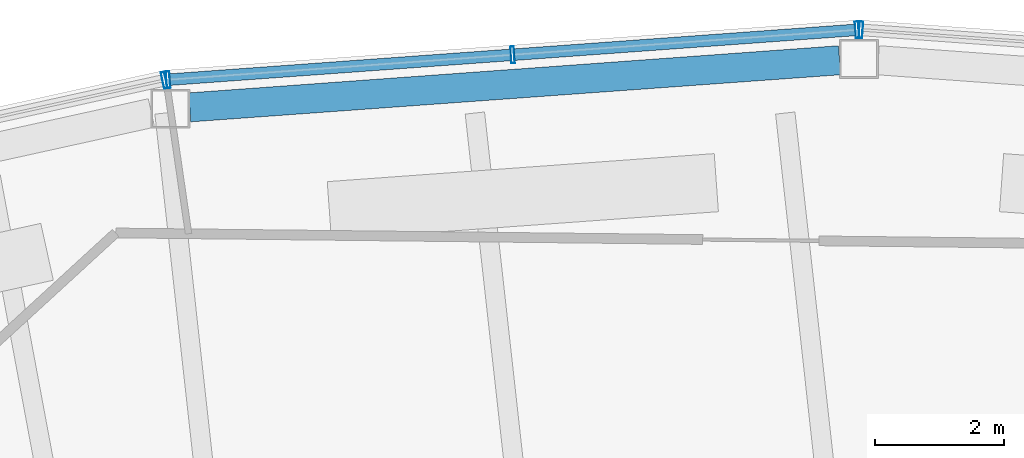
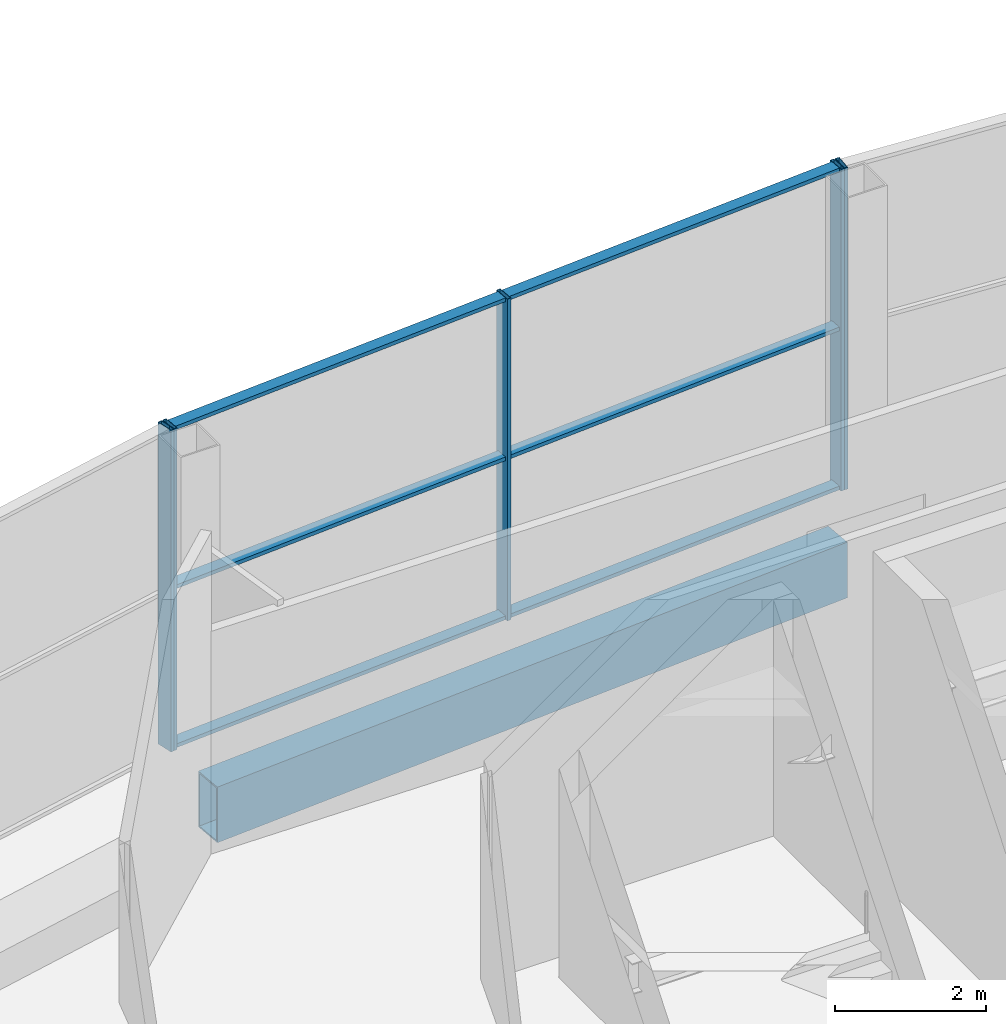
# One storey, part 18 of 44: 11 members, 1 beam, 3 elements without a shape of their own.
"""IFC4 building model written with IfcOpenShell, lengths in metres."""

from ifc_helpers import new_model, si_unit, direction, frame, origin, origin_2d, place, context, subcontext, project, spatial, hollow_rectangle, extrude, material, layer, layer_set, material_profile, profile_set, type_object, element, aggregate, save


model = new_model("IFC4")

# Units and contexts
model_context = context("Model", 3, precision=1e-05, world=origin(), true_north=direction((0.0, 1.0)))
body_context = subcontext(model_context, "Body", "Model", "MODEL_VIEW")
ifc_project = project(units=[si_unit("LENGTHUNIT", "METRE"), si_unit("AREAUNIT", "SQUARE_METRE"), si_unit("VOLUMEUNIT", "CUBIC_METRE"), si_unit("PLANEANGLEUNIT", "RADIAN"), si_unit("MASSUNIT", "GRAM", prefix="KILO")], contexts=[model_context])

# Site, building, storey
site_placement = place(None, origin())
site = spatial("IfcSite", under=ifc_project, at=site_placement, CompositionType="ELEMENT")
building_placement = place(site_placement, origin())
building = spatial("IfcBuilding", under=site, at=building_placement, Name="Tuul Gate Civic Tower", CompositionType="ELEMENT")
storey_placement = place(building_placement, frame((0.0, 0.0, 354.60009765625)))
storey = spatial("IfcBuildingStorey", under=building, at=storey_placement, Name="Observation level 2", CompositionType="ELEMENT", Elevation=354.60009765625)

# Curtain wall, member
ifc_material_1 = material(Name="Stainless steel", Category="steel")
ifc_layer = layer(ifc_material_1, 0.199951171875)
ifc_layer_set = layer_set([ifc_layer], Name="Stainless steel")
curtain_wall_type = type_object("IfcCurtainWallType", Name="Curtain wall CW4", PredefinedType="NOTDEFINED", material=ifc_layer_set)
curtain_wall_1_placement = place(storey_placement, origin())
curtain_wall_1 = element("IfcCurtainWall", 1, at=curtain_wall_1_placement, inside=storey, type_object=curtain_wall_type, Name="Curtain wall CW4", PredefinedType="NOTDEFINED")
ifc_material_2 = material(Name="Stainless steel", Category="steel")
ifc_material_profile_1 = material_profile(ifc_material_2, hollow_rectangle(XDim=0.260009765625, YDim=0.06005859375, WallThickness=0.006103515625, at=origin_2d()), Name="CW4 mullion")
ifc_profile_set_1 = profile_set([ifc_material_profile_1], Name="Stainless steel")
member_type_1 = type_object("IfcMemberType", Name="CW4 mullion", PredefinedType="MULLION", material=ifc_profile_set_1)
member_1_placement = place(storey_placement, frame((2.221923828125, 14.27685546875, 0.0), z_axis=(0.0, 0.0, 1.0), x_axis=(-0.07223936563, -0.997387323989, 0.0)))
member_1 = element("IfcMember", 2, at=member_1_placement, type_object=member_type_1, Name="Mullion", PredefinedType="MULLION", context=body_context, shape_type="SweptSolid", body=[
    extrude(hollow_rectangle(XDim=0.260009765625, YDim=0.06005859375, WallThickness=0.006103515625, at=origin_2d()), origin(), (0.0, 0.0, 1.0), 5.199951171875),
])
aggregate(curtain_wall_1, [member_1])

# Curtain wall, members
curtain_wall_2_placement = place(storey_placement, origin())
curtain_wall_2 = element("IfcCurtainWall", 3, at=curtain_wall_2_placement, inside=storey, type_object=curtain_wall_type, Name="Curtain wall CW4", PredefinedType="NOTDEFINED")
member_2_placement = place(storey_placement, frame((2.162109375, 14.27685546875, 0.0), z_axis=(0.0, 0.0, 1.0), x_axis=(0.07223936563, -0.997387323989, 0.0)))
member_2 = element("IfcMember", 4, at=member_2_placement, type_object=member_type_1, Name="Mullion", PredefinedType="MULLION", context=body_context, shape_type="SweptSolid", body=[
    extrude(hollow_rectangle(XDim=0.260009765625, YDim=0.06005859375, WallThickness=0.006103515625, at=origin_2d()), origin(), (0.0, 0.0, 1.0), 5.199951171875),
])
member_3_placement = place(storey_placement, frame((-3.1650390625, 13.89111328125, 0.0), z_axis=(0.0, 0.0, 1.0), x_axis=(0.07223936563, -0.997387323989, 0.0)))
member_3 = element("IfcMember", 5, at=member_3_placement, type_object=member_type_1, Name="Mullion", PredefinedType="MULLION", context=body_context, shape_type="SweptSolid", body=[
    extrude(hollow_rectangle(XDim=0.260009765625, YDim=0.06005859375, WallThickness=0.006103515625, at=origin_2d()), origin(), (0.0, 0.0, 1.0), 5.199951171875),
])
member_4_placement = place(storey_placement, frame((-8.4921875, 13.505126953125, 0.0), z_axis=(0.0, 0.0, 1.0), x_axis=(0.07223936563, -0.997387323989, 0.0)))
member_4 = element("IfcMember", 6, at=member_4_placement, type_object=member_type_1, Name="Mullion", PredefinedType="MULLION", context=body_context, shape_type="SweptSolid", body=[
    extrude(hollow_rectangle(XDim=0.260009765625, YDim=0.06005859375, WallThickness=0.006103515625, at=origin_2d()), origin(), (0.0, 0.0, 1.0), 5.199951171875),
])

# Curtain wall, member
curtain_wall_3_placement = place(storey_placement, origin())
curtain_wall_3 = element("IfcCurtainWall", 7, at=curtain_wall_3_placement, inside=storey, type_object=curtain_wall_type, Name="Curtain wall CW4", PredefinedType="NOTDEFINED")
member_5_placement = place(storey_placement, frame((-8.55126953125, 13.49658203125, 0.0), z_axis=(0.0, 0.0, 1.0), x_axis=(0.215215147882, -0.976566659334, 0.0)))
member_5 = element("IfcMember", 8, at=member_5_placement, type_object=member_type_1, Name="Mullion", PredefinedType="MULLION", context=body_context, shape_type="SweptSolid", body=[
    extrude(hollow_rectangle(XDim=0.260009765625, YDim=0.06005859375, WallThickness=0.006103515625, at=origin_2d()), origin(), (0.0, 0.0, 1.0), 5.199951171875),
])
aggregate(curtain_wall_3, [member_5])

# Member
ifc_material_3 = material(Name="Stainless steel", Category="steel")
ifc_material_profile_2 = material_profile(ifc_material_3, hollow_rectangle(XDim=0.179931640625, YDim=0.06005859375, WallThickness=0.006103515625, at=origin_2d()), Name="CW4 transom")
ifc_profile_set_2 = profile_set([ifc_material_profile_2], Name="Stainless steel")
member_type_2 = type_object("IfcMemberType", Name="CW4 transom", PredefinedType="USERDEFINED", material=ifc_profile_set_2)
member_6_placement = place(storey_placement, frame((2.132080078125, 14.274658203125, 0.02978515625), z_axis=(-0.997385906721, -0.072258930759, 0.0), x_axis=(0.072258930759, -0.997385906721, 0.0)))
member_6 = element("IfcMember", 9, at=member_6_placement, type_object=member_type_2, Name="Transom", ObjectType="TRANSOM", PredefinedType="USERDEFINED", context=body_context, shape_type="SweptSolid", body=[
    extrude(hollow_rectangle(XDim=0.179931640625, YDim=0.06005859375, WallThickness=0.006103515625, at=origin_2d()), origin(), (0.0, 0.0, 1.0), 5.281005859375),
])

member_7_placement = place(storey_placement, frame((2.132080078125, 14.274658203125, 2.599853515625), z_axis=(-0.997385906721, -0.072258930759, 0.0), x_axis=(0.072258930759, -0.997385906721, 0.0)))
member_7 = element("IfcMember", 10, at=member_7_placement, type_object=member_type_2, Name="Transom", ObjectType="TRANSOM", PredefinedType="USERDEFINED", context=body_context, shape_type="SweptSolid", body=[
    extrude(hollow_rectangle(XDim=0.179931640625, YDim=0.06005859375, WallThickness=0.006103515625, at=origin_2d()), origin(), (0.0, 0.0, 1.0), 5.281005859375),
])

member_8_placement = place(storey_placement, frame((2.132080078125, 14.274658203125, 5.169921875), z_axis=(-0.997385906721, -0.072258930759, 0.0), x_axis=(0.072258930759, -0.997385906721, 0.0)))
member_8 = element("IfcMember", 11, at=member_8_placement, type_object=member_type_2, Name="Transom", ObjectType="TRANSOM", PredefinedType="USERDEFINED", context=body_context, shape_type="SweptSolid", body=[
    extrude(hollow_rectangle(XDim=0.179931640625, YDim=0.06005859375, WallThickness=0.006103515625, at=origin_2d()), origin(), (0.0, 0.0, 1.0), 5.281005859375),
])

member_9_placement = place(storey_placement, frame((-3.19482421875, 13.888916015625, 0.02978515625), z_axis=(-0.997386148092, -0.072255599048, 0.0), x_axis=(0.072255599048, -0.997386148092, 0.0)))
member_9 = element("IfcMember", 12, at=member_9_placement, type_object=member_type_2, Name="Transom", ObjectType="TRANSOM", PredefinedType="USERDEFINED", context=body_context, shape_type="SweptSolid", body=[
    extrude(hollow_rectangle(XDim=0.179931640625, YDim=0.06005859375, WallThickness=0.006103515625, at=origin_2d()), origin(), (0.0, 0.0, 1.0), 5.28125),
])

member_10_placement = place(storey_placement, frame((-3.19482421875, 13.888916015625, 2.599853515625), z_axis=(-0.997386148092, -0.072255599048, 0.0), x_axis=(0.072255599048, -0.997386148092, 0.0)))
member_10 = element("IfcMember", 13, at=member_10_placement, type_object=member_type_2, Name="Transom", ObjectType="TRANSOM", PredefinedType="USERDEFINED", context=body_context, shape_type="SweptSolid", body=[
    extrude(hollow_rectangle(XDim=0.179931640625, YDim=0.06005859375, WallThickness=0.006103515625, at=origin_2d()), origin(), (0.0, 0.0, 1.0), 5.28125),
])

member_11_placement = place(storey_placement, frame((-3.19482421875, 13.888916015625, 5.169921875), z_axis=(-0.997386148092, -0.072255599048, 0.0), x_axis=(0.072255599048, -0.997386148092, 0.0)))
member_11 = element("IfcMember", 14, at=member_11_placement, type_object=member_type_2, Name="Transom", ObjectType="TRANSOM", PredefinedType="USERDEFINED", context=body_context, shape_type="SweptSolid", body=[
    extrude(hollow_rectangle(XDim=0.179931640625, YDim=0.06005859375, WallThickness=0.006103515625, at=origin_2d()), origin(), (0.0, 0.0, 1.0), 5.28125),
])

aggregate(curtain_wall_2, [member_2, member_3, member_4, member_6, member_7, member_8, member_9, member_10, member_11])

# Beam
ifc_material_4 = material(Name="Steel S355", Category="steel")
ifc_material_profile_3 = material_profile(ifc_material_4, hollow_rectangle(XDim=0.449951171875, YDim=0.89990234375, WallThickness=0.02490234375, at=origin_2d()), Name="BOX900x450x25")
ifc_profile_set_3 = profile_set([ifc_material_profile_3], Name="Steel S355")
beam_type = type_object("IfcBeamType", Name="STR-SPANDREL BEAM-BOX900x450x25", PredefinedType="BEAM", material=ifc_profile_set_3)
beam_placement = place(storey_placement, frame((1.892822265625, 13.806396484375, -0.85009765625), z_axis=(-0.997381504519, -0.072319668448, 0.0), x_axis=(0.072319668448, -0.997381504519, 0.0)))
element("IfcBeam", 15, at=beam_placement, inside=storey, type_object=beam_type, Name="Spandrel beam", PredefinedType="BEAM", context=body_context, shape_type="SweptSolid", body=[
    extrude(hollow_rectangle(XDim=0.449951171875, YDim=0.89990234375, WallThickness=0.02490234375, at=origin_2d()), origin(), (0.0, 0.0, 1.0), 10.076904296875),
])

save(model, "model.ifc")
